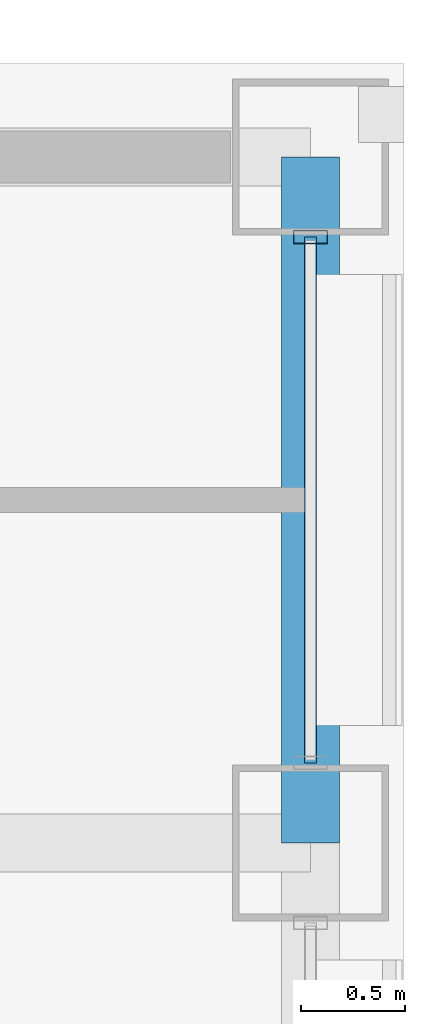
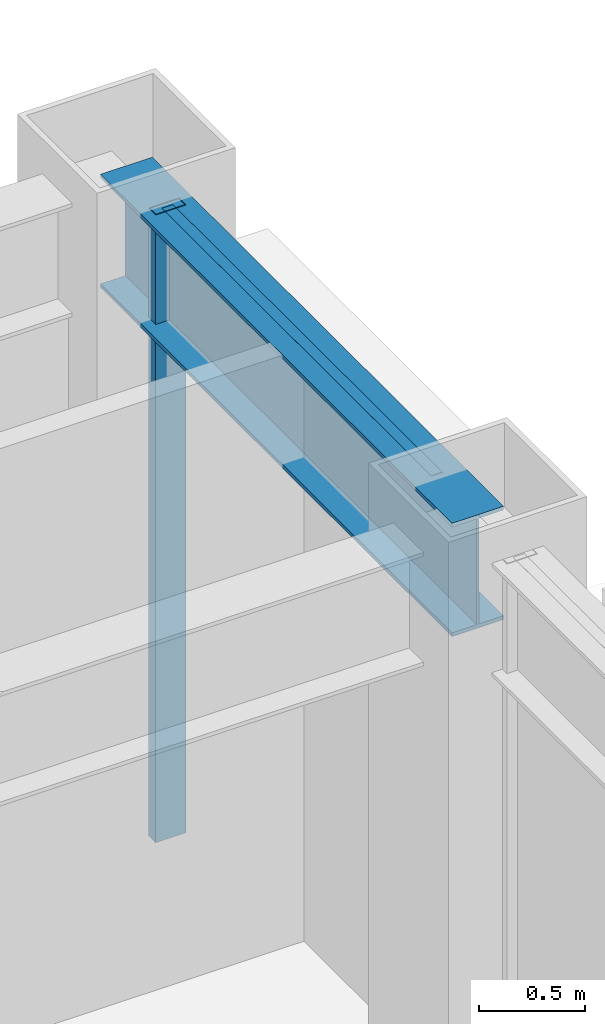
# One storey, part 22 of 30: 2 members, 1 beam, 1 element without a shape of its own.
"""IFC4 building model written with IfcOpenShell, lengths in metres."""

from ifc_helpers import new_model, si_unit, direction, frame, origin, origin_2d, place, context, subcontext, project, spatial, hollow_rectangle, i_section, extrude, material, layer, layer_set, material_profile, profile_set, type_object, element, aggregate, save


model = new_model("IFC4")

# Units and contexts
model_context = context("Model", 3, precision=1e-05, world=origin(), true_north=direction((0.0, 1.0)))
body_context = subcontext(model_context, "Body", "Model", "MODEL_VIEW")
ifc_project = project(units=[si_unit("LENGTHUNIT", "METRE"), si_unit("AREAUNIT", "SQUARE_METRE"), si_unit("VOLUMEUNIT", "CUBIC_METRE"), si_unit("PLANEANGLEUNIT", "RADIAN"), si_unit("MASSUNIT", "GRAM", prefix="KILO")], contexts=[model_context])

# Site, building, storey
site_placement = place(None, origin())
site = spatial("IfcSite", under=ifc_project, at=site_placement, CompositionType="ELEMENT")
building_placement = place(site_placement, origin())
building = spatial("IfcBuilding", under=site, at=building_placement, Name="Brelmoor Portico Tower", CompositionType="ELEMENT")
storey_placement = place(building_placement, frame((0.0, 0.0, 169.5)))
storey = spatial("IfcBuildingStorey", under=building, at=storey_placement, Name="L44", CompositionType="ELEMENT", Elevation=169.5)

# Beam
ifc_material_1 = material(Name="Steel Q355B", Category="steel")
ifc_material_profile_1 = material_profile(ifc_material_1, i_section(OverallWidth=0.280029296875, OverallDepth=0.64990234375, WebThickness=0.012939453125, FlangeThickness=0.02197265625, at=origin_2d()), Name="HN 650x280x13x22")
ifc_profile_set_1 = profile_set([ifc_material_profile_1], Name="Steel Q355B")
beam_type = type_object("IfcBeamType", Name="BM-SP-650", PredefinedType="SPANDREL", material=ifc_profile_set_1)
beam_placement = place(storey_placement, frame((20.550048828125, 9.75, 3.074951171875), z_axis=(0.0, 1.0, 0.0), x_axis=(-1.0, 0.0, 0.0)))
element("IfcBeam", 1, at=beam_placement, inside=storey, type_object=beam_type, Name="L44 Perimeter Spandrel Beam SP-20", PredefinedType="SPANDREL", context=body_context, shape_type="SweptSolid", body=[
    extrude(i_section(OverallWidth=0.280029296875, OverallDepth=0.64990234375, WebThickness=0.012939453125, FlangeThickness=0.02197265625, at=origin_2d()), origin(), (0.0, 0.0, 1.0), 3.300048828125),
])

# Curtain wall, members
ifc_material_2 = material(Name="Anodised Aluminium Alloy 6063-T6", Category="aluminium")
ifc_layer = layer(ifc_material_2, 0.179931640625)
ifc_layer_set = layer_set([ifc_layer], Name="Anodised Aluminium Alloy 6063-T6")
curtain_wall_type = type_object("IfcCurtainWallType", Name="CW-TOWER-Z3-XB", PredefinedType="NOTDEFINED", material=ifc_layer_set)
curtain_wall_placement = place(storey_placement, origin())
curtain_wall = element("IfcCurtainWall", 2, at=curtain_wall_placement, inside=storey, type_object=curtain_wall_type, Name="L44 Curtain Wall CW-L44-04-3", PredefinedType="NOTDEFINED")
ifc_material_profile_2 = material_profile(ifc_material_2, hollow_rectangle(XDim=0.06494140625, YDim=0.1650390625, WallThickness=0.00390625, at=origin_2d()), Name="ALU MULLION 65x165")
ifc_profile_set_2 = profile_set([ifc_material_profile_2], Name="Anodised Aluminium Alloy 6063-T6")
member_type_1 = type_object("IfcMemberType", Name="MB-CW-MULL-165", PredefinedType="MULLION", material=ifc_profile_set_2)
member_1_placement = place(storey_placement, frame((20.550048828125, 12.6650390625, -0.199951171875), z_axis=(0.0, 0.0, 1.0), x_axis=(0.0, 1.0, 0.0)))
member_1 = element("IfcMember", 3, at=member_1_placement, type_object=member_type_1, Name="CW-L44-04-3 Mullion 01", PredefinedType="MULLION", context=body_context, shape_type="SweptSolid", body=[
    extrude(hollow_rectangle(XDim=0.06494140625, YDim=0.1650390625, WallThickness=0.00390625, at=origin_2d()), origin(), (0.0, 0.0, 1.0), 3.599853515625),
])
ifc_material_profile_3 = material_profile(ifc_material_2, hollow_rectangle(XDim=0.06005859375, YDim=0.125, WallThickness=0.00341796875, at=origin_2d()), Name="ALU TRANSOM 60x125")
ifc_profile_set_3 = profile_set([ifc_material_profile_3], Name="Anodised Aluminium Alloy 6063-T6")
member_type_2 = type_object("IfcMemberType", Name="MB-CW-TRAN-125", PredefinedType="USERDEFINED", material=ifc_profile_set_3)
member_2_placement = place(storey_placement, frame((20.550048828125, 10.135009765625, 3.33740234375), z_axis=(0.0, 1.0, 0.0), x_axis=(-1.0, 0.0, 0.0)))
member_2 = element("IfcMember", 4, at=member_2_placement, type_object=member_type_2, Name="CW-L44-04-3 Transom 1-00", ObjectType="TRANSOM", PredefinedType="USERDEFINED", context=body_context, shape_type="SweptSolid", body=[
    extrude(hollow_rectangle(XDim=0.06005859375, YDim=0.125, WallThickness=0.00341796875, at=origin_2d()), origin(), (0.0, 0.0, 1.0), 2.530029296875),
])
aggregate(curtain_wall, [member_1, member_2])

save(model, "model.ifc")
